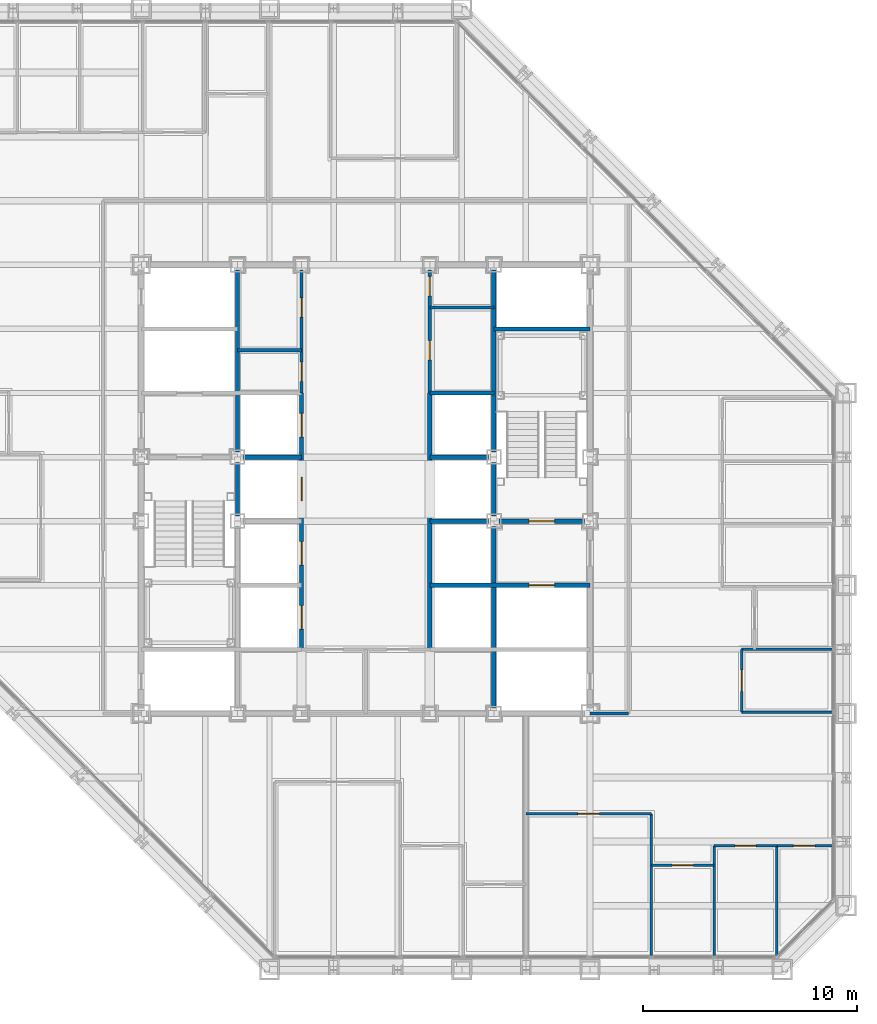
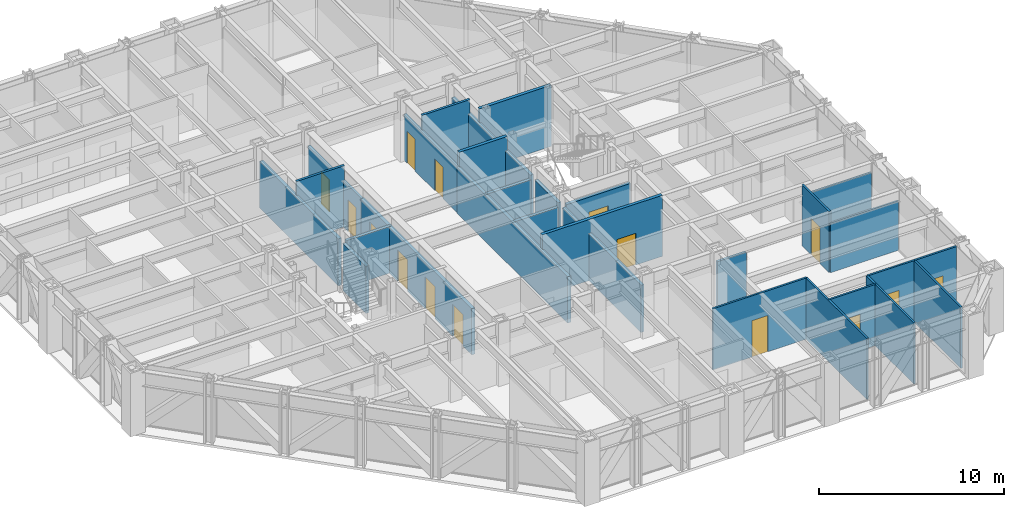
# One storey, part 11 of 16: 29 walls, 15 doors, 15 openings.
"""IFC4 building model written with IfcOpenShell, lengths in metres."""

from ifc_helpers import new_model, si_unit, direction, frame, frame_2d, origin, place, context, subcontext, project, spatial, rectangle, extrude, material, layer, layer_set, type_object, element, fill, save


model = new_model("IFC4")

# Units and contexts
model_context = context("Model", 3, precision=1e-05, world=origin(), true_north=direction((0.0, 1.0)))
body_context = subcontext(model_context, "Body", "Model", "MODEL_VIEW")
ifc_project = project(units=[si_unit("LENGTHUNIT", "METRE"), si_unit("AREAUNIT", "SQUARE_METRE"), si_unit("VOLUMEUNIT", "CUBIC_METRE"), si_unit("PLANEANGLEUNIT", "RADIAN"), si_unit("MASSUNIT", "GRAM", prefix="KILO")], contexts=[model_context])

# Site, building, storey
site_placement = place(None, origin())
site = spatial("IfcSite", under=ifc_project, at=site_placement, CompositionType="ELEMENT")
building_placement = place(site_placement, origin())
building = spatial("IfcBuilding", under=site, at=building_placement, Name="Chuquiago Exchange Tower", CompositionType="ELEMENT")
storey_placement = place(building_placement, frame((0.0, 0.0, 119.39990234375)))
storey = spatial("IfcBuildingStorey", under=building, at=storey_placement, Name="L25", CompositionType="ELEMENT", Elevation=119.39990234375)

# Walls
ifc_material_1 = material(Name="Gypsum board on steel studs, acoustic insulation", Category="steel")
ifc_layer_1 = layer(ifc_material_1, 0.14990234375)
ifc_layer_set_1 = layer_set([ifc_layer_1], Name="W11 corridor wall 150")
wall_type_1 = type_object("IfcWallType", Name="W11 corridor wall 150", PredefinedType="PARTITIONING", material=ifc_layer_set_1)
wall_1_placement = place(storey_placement, frame((33.0, 12.0, 0.0), z_axis=(0.0, 0.0, 1.0), x_axis=(1.0, 0.0, 0.0)))
element("IfcWall", 1, at=wall_1_placement, inside=storey, type_object=wall_type_1, Name="PW-L25-CES", PredefinedType="PARTITIONING", context=body_context, shape_type="SweptSolid", body=[
    extrude(rectangle(XDim=1.800048828125, YDim=0.14990234375, at=frame_2d((0.89990234375, 0.0))), origin(), (0.0, 0.0, 1.0), 3.2705078125),
])
ifc_material_2 = material(Name="Concrete masonry, fully grouted", Category="masonry")
ifc_layer_2 = layer(ifc_material_2, 0.199951171875)
ifc_layer_set_2 = layer_set([ifc_layer_2], Name="W2 shaft wall 200")
wall_type_2 = type_object("IfcWallType", Name="W2 shaft wall 200", PredefinedType="SOLIDWALL", material=ifc_layer_set_2)
for number, where, z_axis, x_axis, name in (
    (2, (16.75, 24.0, 0.0), (0.0, 0.0, 1.0), (1.0, 0.0, 0.0), "CW-L25-05-1"),
    (3, (25.5, 24.0, 0.0), (0.0, 0.0, 1.0), (1.0, 0.0, 0.0), "CW-L25-06-0"),
):
    element("IfcWall", number, at=place(storey_placement, frame(where, z_axis=z_axis, x_axis=x_axis)), inside=storey, type_object=wall_type_2, Name=name, PredefinedType="SOLIDWALL", context=body_context, shape_type="SweptSolid", body=[
        extrude(rectangle(XDim=2.75, YDim=0.199951171875, at=frame_2d((1.375, 0.0))), origin(), (0.0, 0.0, 1.0), 3.090087890625),
    ])
wall_2_placement = place(storey_placement, frame((25.5, 27.0, 0.0), z_axis=(0.0, 0.0, 1.0), x_axis=(1.0, 0.0, 0.0)))
element("IfcWall", 4, at=wall_2_placement, inside=storey, type_object=wall_type_2, Name="CW-L25-08-0", PredefinedType="SOLIDWALL", context=body_context, shape_type="SweptSolid", body=[
    extrude(rectangle(XDim=3.0, YDim=0.199951171875, at=frame_2d((1.5, 0.0))), origin(), (0.0, 0.0, 1.0), 4.0400390625),
])
wall_3_placement = place(storey_placement, frame((28.5, 30.0, 0.0), z_axis=(0.0, 0.0, 1.0), x_axis=(1.0, 0.0, 0.0)))
element("IfcWall", 5, at=wall_3_placement, inside=storey, type_object=wall_type_2, Name="CW-L25-10-0", PredefinedType="SOLIDWALL", context=body_context, shape_type="SweptSolid", body=[
    extrude(rectangle(XDim=4.5, YDim=0.199951171875, at=frame_2d((2.25, 0.0))), origin(), (0.0, 0.0, 1.0), 4.0400390625),
])
wall_4_placement = place(storey_placement, frame((16.5, 21.25, 0.0), z_axis=(0.0, 0.0, 1.0), x_axis=(0.0, 1.0, 0.0)))
element("IfcWall", 6, at=wall_4_placement, inside=storey, type_object=wall_type_2, Name="CW-L25-13-1", PredefinedType="SOLIDWALL", context=body_context, shape_type="SweptSolid", body=[
    extrude(rectangle(XDim=2.5, YDim=0.199951171875, at=frame_2d((1.25, 0.0))), origin(), (0.0, 0.0, 1.0), 3.113037109375),
])
wall_5_placement = place(storey_placement, frame((16.5, 24.25, 0.0), z_axis=(0.0, 0.0, 1.0), x_axis=(0.0, 1.0, 0.0)))
element("IfcWall", 7, at=wall_5_placement, inside=storey, type_object=wall_type_2, Name="CW-L25-13-2", PredefinedType="SOLIDWALL", context=body_context, shape_type="SweptSolid", body=[
    extrude(rectangle(XDim=8.5, YDim=0.199951171875, at=frame_2d((4.25, 0.0))), origin(), (0.0, 0.0, 1.0), 3.113037109375),
])

# Wall, opening, door
wall_6_placement = place(storey_placement, frame((25.5, 18.0, 0.0), z_axis=(0.0, 0.0, 1.0), x_axis=(1.0, 0.0, 0.0)))
wall_6 = element("IfcWall", 8, at=wall_6_placement, inside=storey, type_object=wall_type_2, Name="CW-L25-15-0", PredefinedType="SOLIDWALL", context=body_context, shape_type="SweptSolid", body=[
    extrude(rectangle(XDim=7.5, YDim=0.199951171875, at=frame_2d((3.75, 0.0))), origin(), (0.0, 0.0, 1.0), 4.0400390625),
])
opening_1_placement = place(wall_6_placement, frame((4.64990234375, 0.0, 0.0)))
opening_1 = element("IfcOpeningElement", 9, at=opening_1_placement, cuts=wall_6, Name="Opening L25-006", PredefinedType="OPENING", context=body_context, shape_type="SweptSolid", body=[
    extrude(rectangle(XDim=1.199951171875, YDim=2.10009765625, at=frame_2d((0.60009765625, 1.050048828125))), frame((0.0, 0.10986328125, 0.0), z_axis=(0.0, -1.0, 0.0), x_axis=(1.0, 0.0, 0.0)), (0.0, 0.0, 1.0), 0.219970703125),
])
ifc_material_3 = material(Name="Stainless steel lift landing door", Category="steel")
door_type_1 = type_object("IfcDoorType", Name="LD2 firefighting lift landing door 1200x2100", OperationType="DOUBLE_DOOR_SLIDING", PredefinedType="DOOR", material=ifc_material_3)
door_1_placement = place(opening_1_placement, origin())
door_1 = element("IfcDoor", 10, at=door_1_placement, inside=storey, type_object=door_type_1, Name="Firefighting lift FL2 landing door", OperationType="DOUBLE_DOOR_SLIDING", OverallHeight=2.10009765625, OverallWidth=1.199951171875, PredefinedType="DOOR", context=body_context, shape_type="SweptSolid", body=[
    extrude(rectangle(XDim=1.199951171875, YDim=2.10009765625, at=frame_2d((0.60009765625, 1.050048828125))), frame((0.0, 0.02490234375, 0.0), z_axis=(0.0, -1.0, 0.0), x_axis=(1.0, 0.0, 0.0)), (0.0, 0.0, 1.0), 0.050048828125),
])
fill(opening_1, door_1)

# Wall
wall_7_placement = place(storey_placement, frame((25.5, 21.0, 0.0), z_axis=(0.0, 0.0, 1.0), x_axis=(1.0, 0.0, 0.0)))
element("IfcWall", 11, at=wall_7_placement, inside=storey, type_object=wall_type_2, Name="CW-L25-17-0", PredefinedType="SOLIDWALL", context=body_context, shape_type="SweptSolid", body=[
    extrude(rectangle(XDim=2.75, YDim=0.199951171875, at=frame_2d((1.375, 0.0))), origin(), (0.0, 0.0, 1.0), 3.090087890625),
])

# Wall, opening, door
wall_8_placement = place(storey_placement, frame((28.75, 21.0, 0.0), z_axis=(0.0, 0.0, 1.0), x_axis=(1.0, 0.0, 0.0)))
wall_8 = element("IfcWall", 12, at=wall_8_placement, inside=storey, type_object=wall_type_2, Name="CW-L25-17-1", PredefinedType="SOLIDWALL", context=body_context, shape_type="SweptSolid", body=[
    extrude(rectangle(XDim=4.0, YDim=0.199951171875, at=frame_2d((2.0, 0.0))), origin(), (0.0, 0.0, 1.0), 3.090087890625),
])
opening_2_placement = place(wall_8_placement, frame((1.39990234375, 0.0, 0.0)))
opening_2 = element("IfcOpeningElement", 13, at=opening_2_placement, cuts=wall_8, Name="Opening L25-003", PredefinedType="OPENING", context=body_context, shape_type="SweptSolid", body=[
    extrude(rectangle(XDim=1.199951171875, YDim=2.10009765625, at=frame_2d((0.60009765625, 1.050048828125))), frame((0.0, 0.10986328125, 0.0), z_axis=(0.0, -1.0, 0.0), x_axis=(1.0, 0.0, 0.0)), (0.0, 0.0, 1.0), 0.219970703125),
])
ifc_material_4 = material(Name="Steel door, painted", Category="steel")
door_type_2 = type_object("IfcDoorType", Name="D4 stair door 1200x2100", OperationType="SINGLE_SWING_LEFT", PredefinedType="DOOR", material=ifc_material_4)
door_2_placement = place(opening_2_placement, origin())
door_2 = element("IfcDoor", 14, at=door_2_placement, inside=storey, type_object=door_type_2, Name="Stair ST2 door", OperationType="SINGLE_SWING_LEFT", OverallHeight=2.10009765625, OverallWidth=1.199951171875, PredefinedType="DOOR", context=body_context, shape_type="SweptSolid", body=[
    extrude(rectangle(XDim=1.199951171875, YDim=2.10009765625, at=frame_2d((0.60009765625, 1.050048828125))), frame((0.0, 0.02490234375, 0.0), z_axis=(0.0, -1.0, 0.0), x_axis=(1.0, 0.0, 0.0)), (0.0, 0.0, 1.0), 0.050048828125),
])
fill(opening_2, door_2)

# Wall, openings, doors
wall_9_placement = place(storey_placement, frame((19.5, 15.0, 0.0), z_axis=(0.0, 0.0, 1.0), x_axis=(0.0, 1.0, 0.0)))
wall_9 = element("IfcWall", 15, at=wall_9_placement, inside=storey, type_object=wall_type_2, Name="CW-L25-19-0", PredefinedType="SOLIDWALL", context=body_context, shape_type="SweptSolid", body=[
    extrude(rectangle(XDim=12.0, YDim=0.199951171875, at=frame_2d((6.0, 0.0))), origin(), (0.0, 0.0, 1.0), 3.064697265625),
])
opening_3_placement = place(wall_9_placement, frame((0.949951171875, 0.0, 0.0)))
opening_3 = element("IfcOpeningElement", 16, at=opening_3_placement, cuts=wall_9, Name="Opening L25-017", PredefinedType="OPENING", context=body_context, shape_type="SweptSolid", body=[
    extrude(rectangle(XDim=1.10009765625, YDim=2.10009765625, at=frame_2d((0.550048828125, 1.050048828125))), frame((0.0, 0.10986328125, 0.0), z_axis=(0.0, -1.0, 0.0), x_axis=(1.0, 0.0, 0.0)), (0.0, 0.0, 1.0), 0.219970703125),
])
opening_4_placement = place(wall_9_placement, frame((3.949951171875, 0.0, 0.0)))
opening_4 = element("IfcOpeningElement", 17, at=opening_4_placement, cuts=wall_9, Name="Opening L25-018", PredefinedType="OPENING", context=body_context, shape_type="SweptSolid", body=[
    extrude(rectangle(XDim=1.10009765625, YDim=2.10009765625, at=frame_2d((0.550048828125, 1.050048828125))), frame((0.0, 0.10986328125, 0.0), z_axis=(0.0, -1.0, 0.0), x_axis=(1.0, 0.0, 0.0)), (0.0, 0.0, 1.0), 0.219970703125),
])
opening_5_placement = place(wall_9_placement, frame((6.949951171875, 0.0, 0.0)))
opening_5 = element("IfcOpeningElement", 18, at=opening_5_placement, cuts=wall_9, Name="Opening L25-019", PredefinedType="OPENING", context=body_context, shape_type="SweptSolid", body=[
    extrude(rectangle(XDim=1.10009765625, YDim=2.10009765625, at=frame_2d((0.550048828125, 1.050048828125))), frame((0.0, 0.10986328125, 0.0), z_axis=(0.0, -1.0, 0.0), x_axis=(1.0, 0.0, 0.0)), (0.0, 0.0, 1.0), 0.219970703125),
])
opening_6_placement = place(wall_9_placement, frame((9.949951171875, 0.0, 0.0)))
opening_6 = element("IfcOpeningElement", 19, at=opening_6_placement, cuts=wall_9, Name="Opening L25-020", PredefinedType="OPENING", context=body_context, shape_type="SweptSolid", body=[
    extrude(rectangle(XDim=1.10009765625, YDim=2.10009765625, at=frame_2d((0.550048828125, 1.050048828125))), frame((0.0, 0.10986328125, 0.0), z_axis=(0.0, -1.0, 0.0), x_axis=(1.0, 0.0, 0.0)), (0.0, 0.0, 1.0), 0.219970703125),
])
ifc_material_5 = material(Name="Stainless steel lift landing door", Category="steel")
door_type_3 = type_object("IfcDoorType", Name="LD1 lift landing door 1100x2100", OperationType="DOUBLE_DOOR_SLIDING", PredefinedType="DOOR", material=ifc_material_5)
door_3_placement = place(opening_3_placement, origin())
door_3 = element("IfcDoor", 20, at=door_3_placement, inside=storey, type_object=door_type_3, Name="Lift LB1 landing door", OperationType="DOUBLE_DOOR_SLIDING", OverallHeight=2.10009765625, OverallWidth=1.10009765625, PredefinedType="DOOR", context=body_context, shape_type="SweptSolid", body=[
    extrude(rectangle(XDim=1.10009765625, YDim=2.10009765625, at=frame_2d((0.550048828125, 1.050048828125))), frame((0.0, 0.02490234375, 0.0), z_axis=(0.0, -1.0, 0.0), x_axis=(1.0, 0.0, 0.0)), (0.0, 0.0, 1.0), 0.050048828125),
])
fill(opening_3, door_3)
door_4_placement = place(opening_4_placement, origin())
door_4 = element("IfcDoor", 21, at=door_4_placement, inside=storey, type_object=door_type_3, Name="Lift LB2 landing door", OperationType="DOUBLE_DOOR_SLIDING", OverallHeight=2.10009765625, OverallWidth=1.10009765625, PredefinedType="DOOR", context=body_context, shape_type="SweptSolid", body=[
    extrude(rectangle(XDim=1.10009765625, YDim=2.10009765625, at=frame_2d((0.550048828125, 1.050048828125))), frame((0.0, 0.02490234375, 0.0), z_axis=(0.0, -1.0, 0.0), x_axis=(1.0, 0.0, 0.0)), (0.0, 0.0, 1.0), 0.050048828125),
])
fill(opening_4, door_4)
door_5_placement = place(opening_5_placement, origin())
door_5 = element("IfcDoor", 22, at=door_5_placement, inside=storey, type_object=door_type_3, Name="Lift LB3 landing door", OperationType="DOUBLE_DOOR_SLIDING", OverallHeight=2.10009765625, OverallWidth=1.10009765625, PredefinedType="DOOR", context=body_context, shape_type="SweptSolid", body=[
    extrude(rectangle(XDim=1.10009765625, YDim=2.10009765625, at=frame_2d((0.550048828125, 1.050048828125))), frame((0.0, 0.02490234375, 0.0), z_axis=(0.0, -1.0, 0.0), x_axis=(1.0, 0.0, 0.0)), (0.0, 0.0, 1.0), 0.050048828125),
])
fill(opening_5, door_5)
door_6_placement = place(opening_6_placement, origin())
door_6 = element("IfcDoor", 23, at=door_6_placement, inside=storey, type_object=door_type_3, Name="Lift LB4 landing door", OperationType="DOUBLE_DOOR_SLIDING", OverallHeight=2.10009765625, OverallWidth=1.10009765625, PredefinedType="DOOR", context=body_context, shape_type="SweptSolid", body=[
    extrude(rectangle(XDim=1.10009765625, YDim=2.10009765625, at=frame_2d((0.550048828125, 1.050048828125))), frame((0.0, 0.02490234375, 0.0), z_axis=(0.0, -1.0, 0.0), x_axis=(1.0, 0.0, 0.0)), (0.0, 0.0, 1.0), 0.050048828125),
])
fill(opening_6, door_6)

# Walls
wall_10_placement = place(storey_placement, frame((25.5, 15.0, 0.0), z_axis=(0.0, 0.0, 1.0), x_axis=(0.0, 1.0, 0.0)))
element("IfcWall", 24, at=wall_10_placement, inside=storey, type_object=wall_type_2, Name="CW-L25-22-0", PredefinedType="SOLIDWALL", context=body_context, shape_type="SweptSolid", body=[
    extrude(rectangle(XDim=12.0, YDim=0.199951171875, at=frame_2d((6.0, 0.0))), origin(), (0.0, 0.0, 1.0), 3.064697265625),
])
wall_11_placement = place(storey_placement, frame((28.5, 12.25, 0.0), z_axis=(0.0, 0.0, 1.0), x_axis=(0.0, 1.0, 0.0)))
element("IfcWall", 25, at=wall_11_placement, inside=storey, type_object=wall_type_2, Name="CW-L25-24-0", PredefinedType="SOLIDWALL", context=body_context, shape_type="SweptSolid", body=[
    extrude(rectangle(XDim=8.5, YDim=0.199951171875, at=frame_2d((4.25, 0.0))), origin(), (0.0, 0.0, 1.0), 3.113037109375),
])
wall_12_placement = place(storey_placement, frame((28.5, 21.25, 0.0), z_axis=(0.0, 0.0, 1.0), x_axis=(0.0, 1.0, 0.0)))
element("IfcWall", 26, at=wall_12_placement, inside=storey, type_object=wall_type_2, Name="CW-L25-24-1", PredefinedType="SOLIDWALL", context=body_context, shape_type="SweptSolid", body=[
    extrude(rectangle(XDim=2.5, YDim=0.199951171875, at=frame_2d((1.25, 0.0))), origin(), (0.0, 0.0, 1.0), 3.113037109375),
])
wall_13_placement = place(storey_placement, frame((28.5, 24.25, 0.0), z_axis=(0.0, 0.0, 1.0), x_axis=(0.0, 1.0, 0.0)))
element("IfcWall", 27, at=wall_13_placement, inside=storey, type_object=wall_type_2, Name="CW-L25-24-2", PredefinedType="SOLIDWALL", context=body_context, shape_type="SweptSolid", body=[
    extrude(rectangle(XDim=8.5, YDim=0.199951171875, at=frame_2d((4.25, 0.0))), origin(), (0.0, 0.0, 1.0), 3.113037109375),
])

# Wall, openings, doors
ifc_material_6 = material(Name="Gypsum board on steel studs", Category="steel")
ifc_layer_3 = layer(ifc_material_6, 0.14990234375)
ifc_layer_set_3 = layer_set([ifc_layer_3], Name="W3 core partition 150")
wall_type_3 = type_object("IfcWallType", Name="W3 core partition 150", PredefinedType="PARTITIONING", material=ifc_layer_set_3)
wall_14_placement = place(storey_placement, frame((19.5, 27.0, 0.0), z_axis=(0.0, 0.0, 1.0), x_axis=(0.0, 1.0, 0.0)))
wall_14 = element("IfcWall", 28, at=wall_14_placement, inside=storey, type_object=wall_type_3, Name="CW-L25-20-0", PredefinedType="PARTITIONING", context=body_context, shape_type="SweptSolid", body=[
    extrude(rectangle(XDim=5.75, YDim=0.14990234375, at=frame_2d((2.875, 0.0))), origin(), (0.0, 0.0, 1.0), 3.064697265625),
])
opening_7_placement = place(wall_14_placement, frame((0.550048828125, 0.0, 0.0)))
opening_7 = element("IfcOpeningElement", 29, at=opening_7_placement, cuts=wall_14, Name="Opening L25-011", PredefinedType="OPENING", context=body_context, shape_type="SweptSolid", body=[
    extrude(rectangle(XDim=0.89990234375, YDim=2.10009765625, at=frame_2d((0.449951171875, 1.050048828125))), frame((0.0, 0.0849609375, 0.0), z_axis=(0.0, -1.0, 0.0), x_axis=(1.0, 0.0, 0.0)), (0.0, 0.0, 1.0), 0.169921875),
])
opening_8_placement = place(wall_14_placement, frame((3.550048828125, 0.0, 0.0)))
opening_8 = element("IfcOpeningElement", 30, at=opening_8_placement, cuts=wall_14, Name="Opening L25-012", PredefinedType="OPENING", context=body_context, shape_type="SweptSolid", body=[
    extrude(rectangle(XDim=0.89990234375, YDim=2.10009765625, at=frame_2d((0.449951171875, 1.050048828125))), frame((0.0, 0.0849609375, 0.0), z_axis=(0.0, -1.0, 0.0), x_axis=(1.0, 0.0, 0.0)), (0.0, 0.0, 1.0), 0.169921875),
])
ifc_material_7 = material(Name="Timber door, laminate faced", Category="wood")
door_type_4 = type_object("IfcDoorType", Name="D16 core room door 900x2100", OperationType="SINGLE_SWING_LEFT", PredefinedType="DOOR", material=ifc_material_7)
door_7_placement = place(opening_7_placement, origin())
door_7 = element("IfcDoor", 31, at=door_7_placement, inside=storey, type_object=door_type_4, Name="First aid room door", OperationType="SINGLE_SWING_LEFT", OverallHeight=2.10009765625, OverallWidth=0.89990234375, PredefinedType="DOOR", context=body_context, shape_type="SweptSolid", body=[
    extrude(rectangle(XDim=0.89990234375, YDim=2.10009765625, at=frame_2d((0.449951171875, 1.050048828125))), frame((0.0, 0.02490234375, 0.0), z_axis=(0.0, -1.0, 0.0), x_axis=(1.0, 0.0, 0.0)), (0.0, 0.0, 1.0), 0.050048828125),
])
fill(opening_7, door_7)
ifc_material_8 = material(Name="Timber door, laminate faced", Category="wood")
door_type_5 = type_object("IfcDoorType", Name="D7 toilet door 900x2100", OperationType="SINGLE_SWING_LEFT", PredefinedType="DOOR", material=ifc_material_8)
door_8_placement = place(opening_8_placement, origin())
door_8 = element("IfcDoor", 32, at=door_8_placement, inside=storey, type_object=door_type_5, Name="Male WC door", OperationType="SINGLE_SWING_RIGHT", OverallHeight=2.10009765625, OverallWidth=0.89990234375, PredefinedType="DOOR", context=body_context, shape_type="SweptSolid", body=[
    extrude(rectangle(XDim=0.89990234375, YDim=2.10009765625, at=frame_2d((0.449951171875, 1.050048828125))), frame((0.0, 0.02490234375, 0.0), z_axis=(0.0, -1.0, 0.0), x_axis=(1.0, 0.0, 0.0)), (0.0, 0.0, 1.0), 0.050048828125),
])
fill(opening_8, door_8)

wall_15_placement = place(storey_placement, frame((25.5, 27.0, 0.0), z_axis=(0.0, 0.0, 1.0), x_axis=(0.0, 1.0, 0.0)))
wall_15 = element("IfcWall", 33, at=wall_15_placement, inside=storey, type_object=wall_type_3, Name="CW-L25-23-0", PredefinedType="PARTITIONING", context=body_context, shape_type="SweptSolid", body=[
    extrude(rectangle(XDim=5.75, YDim=0.14990234375, at=frame_2d((2.875, 0.0))), origin(), (0.0, 0.0, 1.0), 3.064697265625),
])
opening_9_placement = place(wall_15_placement, frame((1.550048828125, 0.0, 0.0)))
opening_9 = element("IfcOpeningElement", 34, at=opening_9_placement, cuts=wall_15, Name="Opening L25-013", PredefinedType="OPENING", context=body_context, shape_type="SweptSolid", body=[
    extrude(rectangle(XDim=0.89990234375, YDim=2.10009765625, at=frame_2d((0.449951171875, 1.050048828125))), frame((0.0, 0.0849609375, 0.0), z_axis=(0.0, -1.0, 0.0), x_axis=(1.0, 0.0, 0.0)), (0.0, 0.0, 1.0), 0.169921875),
])
opening_10_placement = place(wall_15_placement, frame((4.550048828125, 0.0, 0.0)))
opening_10 = element("IfcOpeningElement", 35, at=opening_10_placement, cuts=wall_15, Name="Opening L25-014", PredefinedType="OPENING", context=body_context, shape_type="SweptSolid", body=[
    extrude(rectangle(XDim=0.89990234375, YDim=2.10009765625, at=frame_2d((0.449951171875, 1.050048828125))), frame((0.0, 0.0849609375, 0.0), z_axis=(0.0, -1.0, 0.0), x_axis=(1.0, 0.0, 0.0)), (0.0, 0.0, 1.0), 0.169921875),
])
door_9_placement = place(opening_10_placement, frame((0.89990234375, 0.0, 0.0), z_axis=(0.0, 0.0, 1.0), x_axis=(-1.0, 0.0, 0.0)))
door_9 = element("IfcDoor", 36, at=door_9_placement, inside=storey, type_object=door_type_4, Name="Staff shower room door", OperationType="SINGLE_SWING_LEFT", OverallHeight=2.10009765625, OverallWidth=0.89990234375, PredefinedType="DOOR", context=body_context, shape_type="SweptSolid", body=[
    extrude(rectangle(XDim=0.89990234375, YDim=2.10009765625, at=frame_2d((0.449951171875, 1.050048828125))), frame((0.0, 0.02490234375, 0.0), z_axis=(0.0, -1.0, 0.0), x_axis=(1.0, 0.0, 0.0)), (0.0, 0.0, 1.0), 0.050048828125),
])
fill(opening_10, door_9)
door_10_placement = place(opening_9_placement, frame((0.89990234375, 0.0, 0.0), z_axis=(0.0, 0.0, 1.0), x_axis=(-1.0, 0.0, 0.0)))
door_10 = element("IfcDoor", 37, at=door_10_placement, inside=storey, type_object=door_type_5, Name="Female WC door", OperationType="SINGLE_SWING_RIGHT", OverallHeight=2.10009765625, OverallWidth=0.89990234375, PredefinedType="DOOR", context=body_context, shape_type="SweptSolid", body=[
    extrude(rectangle(XDim=0.89990234375, YDim=2.10009765625, at=frame_2d((0.449951171875, 1.050048828125))), frame((0.0, 0.02490234375, 0.0), z_axis=(0.0, -1.0, 0.0), x_axis=(1.0, 0.0, 0.0)), (0.0, 0.0, 1.0), 0.050048828125),
])
fill(opening_9, door_10)

# Walls
for number, where, z_axis, x_axis, name in (
    (38, (16.5, 29.0, 0.0), (0.0, 0.0, 1.0), (1.0, 0.0, 0.0), "CW-L25-WCMS"),
    (39, (25.5, 31.0, 0.0), (0.0, 0.0, 1.0), (1.0, 0.0, 0.0), "CW-L25-WCFS"),
):
    element("IfcWall", number, at=place(storey_placement, frame(where, z_axis=z_axis, x_axis=x_axis)), inside=storey, type_object=wall_type_3, Name=name, PredefinedType="PARTITIONING", context=body_context, shape_type="SweptSolid", body=[
        extrude(rectangle(XDim=3.0, YDim=0.14990234375, at=frame_2d((1.5, 0.0))), origin(), (0.0, 0.0, 1.0), 4.0400390625),
    ])
ifc_material_9 = material(Name="Gypsum board on steel studs", Category="steel")
ifc_layer_4 = layer(ifc_material_9, 0.1201171875)
ifc_layer_set_4 = layer_set([ifc_layer_4], Name="W4 partition 120")
wall_type_4 = type_object("IfcWallType", Name="W4 partition 120", PredefinedType="PARTITIONING", material=ifc_layer_set_4)
wall_16_placement = place(storey_placement, frame((35.875732421875, 0.652587890625, 0.0), z_axis=(0.0, 0.0, 1.0), x_axis=(0.0, 1.0, 0.0)))
element("IfcWall", 40, at=wall_16_placement, inside=storey, type_object=wall_type_4, Name="PW-L25-S03588", PredefinedType="PARTITIONING", context=body_context, shape_type="SweptSolid", body=[
    extrude(rectangle(XDim=6.6474609375, YDim=0.1201171875, at=frame_2d((3.32373046875, 0.0))), origin(), (0.0, 0.0, 1.0), 4.0400390625),
])
wall_17_placement = place(storey_placement, frame((38.813720703125, 0.652587890625, 0.0), z_axis=(0.0, 0.0, 1.0), x_axis=(0.0, 1.0, 0.0)))
element("IfcWall", 41, at=wall_17_placement, inside=storey, type_object=wall_type_4, Name="PW-L25-S03881", PredefinedType="PARTITIONING", context=body_context, shape_type="SweptSolid", body=[
    extrude(rectangle(XDim=5.1474609375, YDim=0.1201171875, at=frame_2d((2.57373046875, 0.0))), origin(), (0.0, 0.0, 1.0), 4.0400390625),
])
wall_18_placement = place(storey_placement, frame((41.75146484375, 0.666015625, 0.0), z_axis=(0.0, 0.0, 1.0), x_axis=(0.0, 1.0, 0.0)))
element("IfcWall", 42, at=wall_18_placement, inside=storey, type_object=wall_type_4, Name="PW-L25-S04175", PredefinedType="PARTITIONING", context=body_context, shape_type="SweptSolid", body=[
    extrude(rectangle(XDim=5.134033203125, YDim=0.1201171875, at=frame_2d((2.56689453125, 0.0))), origin(), (0.0, 0.0, 1.0), 4.0400390625),
])

# Wall, opening, door
wall_19_placement = place(storey_placement, frame((30.0, 7.300048828125, 0.0), z_axis=(0.0, 0.0, 1.0), x_axis=(1.0, 0.0, 0.0)))
wall_19 = element("IfcWall", 43, at=wall_19_placement, inside=storey, type_object=wall_type_4, Name="PW-L25-SF03000", PredefinedType="PARTITIONING", context=body_context, shape_type="SweptSolid", body=[
    extrude(rectangle(XDim=5.875732421875, YDim=0.1201171875, at=frame_2d((2.93798828125, 0.0))), origin(), (0.0, 0.0, 1.0), 4.0400390625),
])
opening_11_placement = place(wall_19_placement, frame((2.43798828125, 0.0, 0.0)))
opening_11 = element("IfcOpeningElement", 44, at=opening_11_placement, cuts=wall_19, Name="Opening L25-024", PredefinedType="OPENING", context=body_context, shape_type="SweptSolid", body=[
    extrude(rectangle(XDim=1.0, YDim=2.39990234375, at=frame_2d((0.5, 1.199951171875))), frame((0.0, 0.070068359375, 0.0), z_axis=(0.0, -1.0, 0.0), x_axis=(1.0, 0.0, 0.0)), (0.0, 0.0, 1.0), 0.14013671875),
])
ifc_material_10 = material(Name="Timber door, laminate faced", Category="wood")
door_type_6 = type_object("IfcDoorType", Name="D9 room door 1000x2400", OperationType="SINGLE_SWING_LEFT", PredefinedType="DOOR", material=ifc_material_10)
door_11_placement = place(opening_11_placement, frame((1.0, 0.0, 0.0), z_axis=(0.0, 0.0, 1.0), x_axis=(-1.0, 0.0, 0.0)))
door_11 = element("IfcDoor", 45, at=door_11_placement, inside=storey, type_object=door_type_6, Name="Market data room door", OperationType="SINGLE_SWING_RIGHT", OverallHeight=2.39990234375, OverallWidth=1.0, PredefinedType="DOOR", context=body_context, shape_type="SweptSolid", body=[
    extrude(rectangle(XDim=1.0, YDim=2.39990234375, at=frame_2d((0.5, 1.199951171875))), frame((0.0, 0.02490234375, 0.0), z_axis=(0.0, -1.0, 0.0), x_axis=(1.0, 0.0, 0.0)), (0.0, 0.0, 1.0), 0.050048828125),
])
fill(opening_11, door_11)

wall_20_placement = place(storey_placement, frame((35.875732421875, 4.89990234375, 0.0), z_axis=(0.0, 0.0, 1.0), x_axis=(1.0, 0.0, 0.0)))
wall_20 = element("IfcWall", 46, at=wall_20_placement, inside=storey, type_object=wall_type_4, Name="PW-L25-SF03588", PredefinedType="PARTITIONING", context=body_context, shape_type="SweptSolid", body=[
    extrude(rectangle(XDim=2.93798828125, YDim=0.1201171875, at=frame_2d((1.468994140625, 0.0))), origin(), (0.0, 0.0, 1.0), 4.0400390625),
])
opening_12_placement = place(wall_20_placement, frame((0.968994140625, 0.0, 0.0)))
opening_12 = element("IfcOpeningElement", 47, at=opening_12_placement, cuts=wall_20, Name="Opening L25-025", PredefinedType="OPENING", context=body_context, shape_type="SweptSolid", body=[
    extrude(rectangle(XDim=1.0, YDim=2.39990234375, at=frame_2d((0.5, 1.199951171875))), frame((0.0, 0.070068359375, 0.0), z_axis=(0.0, -1.0, 0.0), x_axis=(1.0, 0.0, 0.0)), (0.0, 0.0, 1.0), 0.14013671875),
])
door_12_placement = place(opening_12_placement, frame((1.0, 0.0, 0.0), z_axis=(0.0, 0.0, 1.0), x_axis=(-1.0, 0.0, 0.0)))
door_12 = element("IfcDoor", 48, at=door_12_placement, inside=storey, type_object=door_type_6, Name="Comms room door", OperationType="SINGLE_SWING_RIGHT", OverallHeight=2.39990234375, OverallWidth=1.0, PredefinedType="DOOR", context=body_context, shape_type="SweptSolid", body=[
    extrude(rectangle(XDim=1.0, YDim=2.39990234375, at=frame_2d((0.5, 1.199951171875))), frame((0.0, 0.02490234375, 0.0), z_axis=(0.0, -1.0, 0.0), x_axis=(1.0, 0.0, 0.0)), (0.0, 0.0, 1.0), 0.050048828125),
])
fill(opening_12, door_12)

wall_21_placement = place(storey_placement, frame((38.813720703125, 5.800048828125, 0.0), z_axis=(0.0, 0.0, 1.0), x_axis=(1.0, 0.0, 0.0)))
wall_21 = element("IfcWall", 49, at=wall_21_placement, inside=storey, type_object=wall_type_4, Name="PW-L25-SF03881", PredefinedType="PARTITIONING", context=body_context, shape_type="SweptSolid", body=[
    extrude(rectangle(XDim=2.937744140625, YDim=0.1201171875, at=frame_2d((1.46875, 0.0))), origin(), (0.0, 0.0, 1.0), 4.0400390625),
])
opening_13_placement = place(wall_21_placement, frame((0.968994140625, 0.0, 0.0)))
opening_13 = element("IfcOpeningElement", 50, at=opening_13_placement, cuts=wall_21, Name="Opening L25-026", PredefinedType="OPENING", context=body_context, shape_type="SweptSolid", body=[
    extrude(rectangle(XDim=1.0, YDim=2.39990234375, at=frame_2d((0.5, 1.199951171875))), frame((0.0, 0.070068359375, 0.0), z_axis=(0.0, -1.0, 0.0), x_axis=(1.0, 0.0, 0.0)), (0.0, 0.0, 1.0), 0.14013671875),
])
door_13_placement = place(opening_13_placement, frame((1.0, 0.0, 0.0), z_axis=(0.0, 0.0, 1.0), x_axis=(-1.0, 0.0, 0.0)))
door_13 = element("IfcDoor", 51, at=door_13_placement, inside=storey, type_object=door_type_6, Name="Office door", OperationType="SINGLE_SWING_RIGHT", OverallHeight=2.39990234375, OverallWidth=1.0, PredefinedType="DOOR", context=body_context, shape_type="SweptSolid", body=[
    extrude(rectangle(XDim=1.0, YDim=2.39990234375, at=frame_2d((0.5, 1.199951171875))), frame((0.0, 0.02490234375, 0.0), z_axis=(0.0, -1.0, 0.0), x_axis=(1.0, 0.0, 0.0)), (0.0, 0.0, 1.0), 0.050048828125),
])
fill(opening_13, door_13)

wall_22_placement = place(storey_placement, frame((41.75146484375, 5.800048828125, 0.0), z_axis=(0.0, 0.0, 1.0), x_axis=(1.0, 0.0, 0.0)))
wall_22 = element("IfcWall", 52, at=wall_22_placement, inside=storey, type_object=wall_type_4, Name="PW-L25-SF04175", PredefinedType="PARTITIONING", context=body_context, shape_type="SweptSolid", body=[
    extrude(rectangle(XDim=2.616455078125, YDim=0.1201171875, at=frame_2d((1.30810546875, 0.0))), origin(), (0.0, 0.0, 1.0), 4.0400390625),
])
opening_14_placement = place(wall_22_placement, frame((0.774169921875, 0.0, 0.0)))
opening_14 = element("IfcOpeningElement", 53, at=opening_14_placement, cuts=wall_22, Name="Opening L25-027", PredefinedType="OPENING", context=body_context, shape_type="SweptSolid", body=[
    extrude(rectangle(XDim=1.0, YDim=2.39990234375, at=frame_2d((0.5, 1.199951171875))), frame((0.0, 0.070068359375, 0.0), z_axis=(0.0, -1.0, 0.0), x_axis=(1.0, 0.0, 0.0)), (0.0, 0.0, 1.0), 0.14013671875),
])
door_14_placement = place(opening_14_placement, frame((1.0, 0.0, 0.0), z_axis=(0.0, 0.0, 1.0), x_axis=(-1.0, 0.0, 0.0)))
door_14 = element("IfcDoor", 54, at=door_14_placement, inside=storey, type_object=door_type_6, Name="Office door", OperationType="SINGLE_SWING_RIGHT", OverallHeight=2.39990234375, OverallWidth=1.0, PredefinedType="DOOR", context=body_context, shape_type="SweptSolid", body=[
    extrude(rectangle(XDim=1.0, YDim=2.39990234375, at=frame_2d((0.5, 1.199951171875))), frame((0.0, 0.02490234375, 0.0), z_axis=(0.0, -1.0, 0.0), x_axis=(1.0, 0.0, 0.0)), (0.0, 0.0, 1.0), 0.050048828125),
])
fill(opening_14, door_14)

# Walls
wall_23_placement = place(storey_placement, frame((44.347412109375, 12.06201171875, 0.0), z_axis=(0.0, 0.0, 1.0), x_axis=(-1.0, 0.0, 0.0)))
element("IfcWall", 55, at=wall_23_placement, inside=storey, type_object=wall_type_4, Name="PW-L25-E01206", PredefinedType="PARTITIONING", context=body_context, shape_type="SweptSolid", body=[
    extrude(rectangle(XDim=4.247314453125, YDim=0.1201171875, at=frame_2d((2.12353515625, 0.0))), origin(), (0.0, 0.0, 1.0), 3.2705078125),
])
wall_24_placement = place(storey_placement, frame((44.347412109375, 15.0, 0.0), z_axis=(0.0, 0.0, 1.0), x_axis=(-1.0, 0.0, 0.0)))
element("IfcWall", 56, at=wall_24_placement, inside=storey, type_object=wall_type_4, Name="PW-L25-E01500", PredefinedType="PARTITIONING", context=body_context, shape_type="SweptSolid", body=[
    extrude(rectangle(XDim=4.247314453125, YDim=0.1201171875, at=frame_2d((2.12353515625, 0.0))), origin(), (0.0, 0.0, 1.0), 3.35693359375),
])

# Wall, opening, door
wall_25_placement = place(storey_placement, frame((40.10009765625, 12.06201171875, 0.0), z_axis=(0.0, 0.0, 1.0), x_axis=(0.0, 1.0, 0.0)))
wall_25 = element("IfcWall", 57, at=wall_25_placement, inside=storey, type_object=wall_type_4, Name="PW-L25-EF01206", PredefinedType="PARTITIONING", context=body_context, shape_type="SweptSolid", body=[
    extrude(rectangle(XDim=2.93798828125, YDim=0.1201171875, at=frame_2d((1.468994140625, 0.0))), origin(), (0.0, 0.0, 1.0), 4.0400390625),
])
opening_15_placement = place(wall_25_placement, frame((0.968994140625, 0.0, 0.0)))
opening_15 = element("IfcOpeningElement", 58, at=opening_15_placement, cuts=wall_25, Name="Opening L25-028", PredefinedType="OPENING", context=body_context, shape_type="SweptSolid", body=[
    extrude(rectangle(XDim=1.0, YDim=2.39990234375, at=frame_2d((0.5, 1.199951171875))), frame((0.0, 0.070068359375, 0.0), z_axis=(0.0, -1.0, 0.0), x_axis=(1.0, 0.0, 0.0)), (0.0, 0.0, 1.0), 0.14013671875),
])
door_15_placement = place(opening_15_placement, frame((1.0, 0.0, 0.0), z_axis=(0.0, 0.0, 1.0), x_axis=(-1.0, 0.0, 0.0)))
door_15 = element("IfcDoor", 59, at=door_15_placement, inside=storey, type_object=door_type_6, Name="Comms room door", OperationType="SINGLE_SWING_LEFT", OverallHeight=2.39990234375, OverallWidth=1.0, PredefinedType="DOOR", context=body_context, shape_type="SweptSolid", body=[
    extrude(rectangle(XDim=1.0, YDim=2.39990234375, at=frame_2d((0.5, 1.199951171875))), frame((0.0, 0.02490234375, 0.0), z_axis=(0.0, -1.0, 0.0), x_axis=(1.0, 0.0, 0.0)), (0.0, 0.0, 1.0), 0.050048828125),
])
fill(opening_15, door_15)

save(model, "model.ifc")
